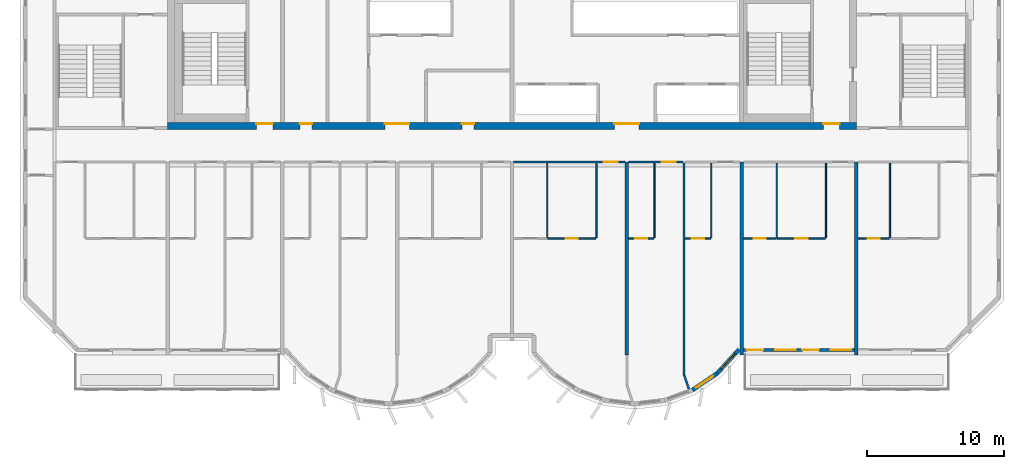
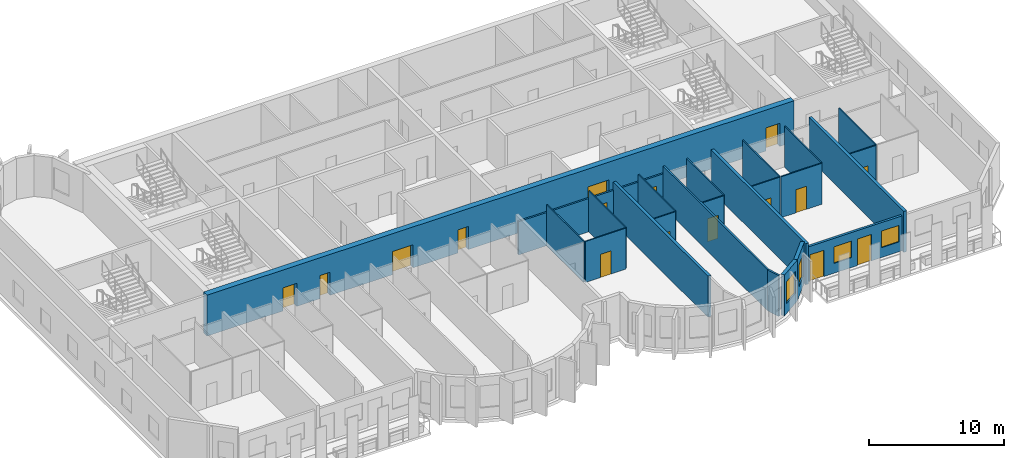
# One storey, part 5 of 12: 24 walls, 16 doors, 4 windows, 20 openings.
"""IFC4 building model written with IfcOpenShell, lengths in metres."""

import ifcopenshell
import ifcopenshell.guid

model = None  # the IFC model being written
_history = None  # IfcOwnerHistory: only IFC2X3 demands one
_inside = {}  # id of a spatial element -> (the spatial element, [elements in it])
_under = {}  # id of a project, library or spatial element -> (it, [spatial elements below it])
_declared = {}  # id of a project -> (the project, [libraries it declares])
_typed = {}  # id of a type object -> (the type object, [elements of that type])
_made_of = {}  # id of a material, layer set ... -> (it, [elements and type objects made of it])


def new_model(schema):
    """Start an empty IFC model of exactly this schema.

    Asked for "IFC4X3", IfcOpenShell would pick the latest addendum, in which some entities
    have other attributes; the version numbers below select the first issue.
    IFC2X3 requires an IfcOwnerHistory on every rooted entity: one is made here for all.
    """
    global model, _history
    if schema == "IFC4X3":
        model = ifcopenshell.file(schema_version=(4, 3, 0, 0))
    else:
        model = ifcopenshell.file(schema=schema)
    _inside.clear()
    _under.clear()
    _declared.clear()
    _typed.clear()
    _made_of.clear()
    _history = None
    if model.schema == "IFC2X3":
        org = make("IfcOrganization", Name="unknown")
        user = make(
            "IfcPersonAndOrganization",
            ThePerson=make("IfcPerson", FamilyName="unknown"),
            TheOrganization=org,
        )
        app = make(
            "IfcApplication",
            ApplicationDeveloper=org,
            Version="unknown",
            ApplicationFullName="unknown",
            ApplicationIdentifier="unknown",
        )
        _history = make(
            "IfcOwnerHistory",
            OwningUser=user,
            OwningApplication=app,
            ChangeAction="ADDED",
            CreationDate=0,
        )
    return model


def make(cls, **values):
    """One entity of the class cls with the attributes given. An attribute that is None is left unset."""
    return model.create_entity(
        cls, **{name: value for name, value in values.items() if value is not None}
    )


def rooted(cls, **values):
    """An entity with a GlobalId (a new one), such as an element, a storey or a relation."""
    return make(cls, GlobalId=ifcopenshell.guid.new(), OwnerHistory=_history, **values)


def si_unit(unit_type, name, prefix=None):
    """IfcSIUnit, for example si_unit("LENGTHUNIT", "METRE", prefix="MILLI")."""
    return make("IfcSIUnit", UnitType=unit_type, Prefix=prefix, Name=name)


def assignment(units):
    """IfcUnitAssignment: the units of a project."""
    return None if units is None else make("IfcUnitAssignment", Units=units)


def point(xyz):
    """IfcCartesianPoint."""
    return None if xyz is None else make("IfcCartesianPoint", Coordinates=xyz)


def direction(xyz):
    """IfcDirection."""
    return None if xyz is None else make("IfcDirection", DirectionRatios=xyz)


def frame(location, z_axis=None, x_axis=None):
    """IfcAxis2Placement3D, a coordinate frame: its origin and axes. An axis left out is left unset."""
    return make(
        "IfcAxis2Placement3D",
        Location=point(location),
        Axis=direction(z_axis),
        RefDirection=direction(x_axis),
    )


def frame_2d(location, x_axis=None):
    """IfcAxis2Placement2D, a coordinate frame in the plane: its origin and x axis."""
    return make(
        "IfcAxis2Placement2D", Location=point(location), RefDirection=direction(x_axis)
    )


def origin():
    """The frame at (0, 0, 0) with its axes left unset."""
    return frame((0.0, 0.0, 0.0))


def place(relative_to, where):
    """IfcLocalPlacement: puts the frame where relative to a parent placement (None: the world)."""
    return make(
        "IfcLocalPlacement", PlacementRelTo=relative_to, RelativePlacement=where
    )


def context(
    kind, dimensions, precision=None, world=None, true_north=None, identifier=None
):
    """IfcGeometricRepresentationContext, for example the 3D "Model" context."""
    return make(
        "IfcGeometricRepresentationContext",
        ContextIdentifier=identifier,
        ContextType=kind,
        CoordinateSpaceDimension=dimensions,
        Precision=precision,
        WorldCoordinateSystem=world,
        TrueNorth=true_north,
    )


def subcontext(parent, identifier, kind, view, scale=None):
    """IfcGeometricRepresentationSubContext, for example "Body" below "Model"."""
    return make(
        "IfcGeometricRepresentationSubContext",
        ContextIdentifier=identifier,
        ContextType=kind,
        ParentContext=parent,
        TargetScale=scale,
        TargetView=view,
    )


def project(units=None, contexts=None):
    """IfcProject with its units and contexts."""
    return rooted(
        "IfcProject",
        Name="project",
        RepresentationContexts=contexts,
        UnitsInContext=assignment(units),
    )


def spatial(cls, under=None, at=None, **own):
    """A site, building, storey or space (cls), placed at a placement, below another one or the project."""
    s = rooted(cls, ObjectPlacement=at, **own)
    if under is not None:
        _under.setdefault(under.id(), (under, []))[1].append(s)
    return s


def profile(cls, at=None, kind="AREA", **sizes):
    """A parametric profile (cls). Its sizes go by their IFC names, for example OverallWidth=200.0."""
    return make(cls, ProfileType=kind, Position=at, **sizes)


def rectangle(**sizes):
    """IfcRectangleProfileDef."""
    return profile("IfcRectangleProfileDef", **sizes)


def extrude(swept, where, along, depth):
    """IfcExtrudedAreaSolid: the profile swept, set in the frame where, extruded along a direction by depth."""
    return make(
        "IfcExtrudedAreaSolid",
        SweptArea=swept,
        Position=where,
        ExtrudedDirection=direction(along),
        Depth=depth,
    )


def shape(context_of_items, identifier, shape_type, items):
    """IfcShapeRepresentation: the items that make up one representation, for example the "Body"."""
    return make(
        "IfcShapeRepresentation",
        ContextOfItems=context_of_items,
        RepresentationIdentifier=identifier,
        RepresentationType=shape_type,
        Items=items,
    )


def source(mapping_origin, context_of_items, identifier, shape_type, items):
    """IfcRepresentationMap: a shape defined once, which mapped items show again and again."""
    return make(
        "IfcRepresentationMap",
        MappingOrigin=mapping_origin,
        MappedRepresentation=shape(context_of_items, identifier, shape_type, items),
    )


def transform(
    local_origin,
    x_axis=None,
    y_axis=None,
    z_axis=None,
    scale=None,
    scale2=None,
    scale3=None,
    uniform=True,
):
    """IfcCartesianTransformationOperator3D, or its non-uniform kind. x_axis, y_axis, z_axis: its Axis1, 2, 3."""
    if uniform:
        return make(
            "IfcCartesianTransformationOperator3D",
            Axis1=direction(x_axis),
            Axis2=direction(y_axis),
            LocalOrigin=point(local_origin),
            Scale=scale,
            Axis3=direction(z_axis),
        )
    return make(
        "IfcCartesianTransformationOperator3DnonUniform",
        Axis1=direction(x_axis),
        Axis2=direction(y_axis),
        LocalOrigin=point(local_origin),
        Scale=scale,
        Axis3=direction(z_axis),
        Scale2=scale2,
        Scale3=scale3,
    )


def mapped(mapping_source, mapping_target):
    """IfcMappedItem: shows the shape of a source again, moved by a transform."""
    return make(
        "IfcMappedItem", MappingSource=mapping_source, MappingTarget=mapping_target
    )


def material(Name=None, Category=None):
    """IfcMaterial."""
    return make("IfcMaterial", Name=Name, Category=Category)


def layer(
    of_material, thickness, ventilated=None, Name=None, Category=None, Priority=None
):
    """IfcMaterialLayer: one layer of a wall or slab, of a material (None: an air gap)."""
    return make(
        "IfcMaterialLayer",
        Material=of_material,
        LayerThickness=thickness,
        IsVentilated=ventilated,
        Name=Name,
        Category=Category,
        Priority=Priority,
    )


def layer_set(layers, Name=None):
    """IfcMaterialLayerSet."""
    return make("IfcMaterialLayerSet", MaterialLayers=layers, LayerSetName=Name)


def made_of(thing, what):
    """Note that an element or type object is made of a material, layer set ...; save() writes the relation."""
    if what is not None:
        _made_of.setdefault(what.id(), (what, []))[1].append(thing)
    return thing


def type_object(cls, material=None, **own):
    """A type object (cls), such as IfcWallType, which elements share."""
    return made_of(rooted(cls, **own), material)


def element(
    cls,
    number,
    at=None,
    inside=None,
    cuts=None,
    type_object=None,
    material=None,
    context=None,
    identifier="Body",
    shape_type=None,
    held_by="IfcProductDefinitionShape",
    body=None,
    shapes=None,
    **own,
):
    """One element of the class cls, such as IfcWall. Its Tag is "e" and its number.

    at: its placement. inside: the storey or other place that contains it. cuts: it is an
    opening in that element (IfcRelVoidsElement). A single representation is given by context,
    identifier, shape_type and body (its items); several are given by shapes. held_by: the class
    of the entity that holds the representations. save() writes the other relations.
    """
    e = rooted(cls, Tag="e%d" % number, ObjectPlacement=at, **own)
    if body is not None:
        shapes = [shape(context, identifier, shape_type, body)]
    if shapes is not None:
        e.Representation = make(held_by, Representations=shapes)
    if inside is not None:
        _inside.setdefault(inside.id(), (inside, []))[1].append(e)
    if cuts is not None:
        rooted(
            "IfcRelVoidsElement", RelatingBuildingElement=cuts, RelatedOpeningElement=e
        )
    if type_object is not None:
        _typed.setdefault(type_object.id(), (type_object, []))[1].append(e)
    return made_of(e, material)


def fill(opening, filler):
    """IfcRelFillsElement: the door or window that sits in an opening."""
    return rooted(
        "IfcRelFillsElement",
        RelatingOpeningElement=opening,
        RelatedBuildingElement=filler,
    )


def aggregate(whole, parts):
    """IfcRelAggregates: a whole, such as a stair, and the parts it consists of."""
    return rooted("IfcRelAggregates", RelatingObject=whole, RelatedObjects=parts)


def save(model, path):
    """Write the relations noted so far, then the file.

    IfcRelAggregates (storeys below a building ...), IfcRelContainedInSpatialStructure (elements
    in a storey), IfcRelDefinesByType, IfcRelAssociatesMaterial and IfcRelDeclares: one each for
    every whole, place, type object, material and project.
    """
    for whole, parts in _under.values():
        aggregate(whole, parts)
    for where, things in _inside.values():
        rooted(
            "IfcRelContainedInSpatialStructure",
            RelatedElements=things,
            RelatingStructure=where,
        )
    for kind, things in _typed.values():
        rooted("IfcRelDefinesByType", RelatedObjects=things, RelatingType=kind)
    for what, things in _made_of.values():
        rooted("IfcRelAssociatesMaterial", RelatedObjects=things, RelatingMaterial=what)
    for by, libraries in _declared.values():
        rooted("IfcRelDeclares", RelatingContext=by, RelatedDefinitions=libraries)
    model.write(path)


model = new_model("IFC4")

# Units and contexts
model_context = context("Model", 3, precision=1e-05, world=origin(), true_north=direction((0.0, 1.0)))
body_context = subcontext(model_context, "Body", "Model", "MODEL_VIEW")
ifc_project = project(units=[si_unit("LENGTHUNIT", "METRE"), si_unit("AREAUNIT", "SQUARE_METRE"), si_unit("VOLUMEUNIT", "CUBIC_METRE"), si_unit("PLANEANGLEUNIT", "RADIAN"), si_unit("MASSUNIT", "GRAM", prefix="KILO")], contexts=[model_context])

# Site, building, storey
site_placement = place(None, origin())
site = spatial("IfcSite", under=ifc_project, at=site_placement, CompositionType="ELEMENT")
building_placement = place(site_placement, origin())
building = spatial("IfcBuilding", under=site, at=building_placement, Name="Vanashikhar Sky Hotel", CompositionType="ELEMENT")
storey_placement = place(building_placement, frame((0.0, 0.0, 289.699951171875)))
storey = spatial("IfcBuildingStorey", under=building, at=storey_placement, Name="L69", CompositionType="ELEMENT", Elevation=289.699951171875)

# Wall, openings, doors
ifc_material_1 = material(Name="Concrete M50", Category="concrete")
ifc_layer_1 = layer(ifc_material_1, 0.5)
ifc_layer_set_1 = layer_set([ifc_layer_1], Name="RC core shell wall 500 Concrete M50")
wall_type_1 = type_object("IfcWallType", Name="RC core shell wall 500 Concrete M50", PredefinedType="SHEAR", material=ifc_layer_set_1)
shared_shape_1 = source(origin(), body_context, "Body", "SweptSolid", [
    extrude(rectangle(XDim=50.400146484375, YDim=0.5, at=frame_2d((25.2001953125, 0.0))), origin(), (0.0, 0.0, 1.0), 3.719970703125),
])
wall_1_placement = place(storey_placement, frame((25.199951171875, 22.25, 0.0), z_axis=(0.0, 0.0, 1.0), x_axis=(1.0, 0.0, 0.0)))
wall_1 = element("IfcWall", 1, at=wall_1_placement, inside=storey, type_object=wall_type_1, Name="KW-L69-KS", PredefinedType="SHEAR", context=body_context, shape_type="MappedRepresentation", body=[
    mapped(shared_shape_1, transform((0.0, 0.0, 0.0), scale=1.0)),
])
shared_shape_2 = source(origin(), body_context, "Body", "SweptSolid", [
    extrude(rectangle(XDim=1.800048828125, YDim=2.10009765625, at=frame_2d((0.89990234375, 1.050048828125))), frame((0.0, 0.260009765625, 0.0), z_axis=(0.0, -1.0, 0.0), x_axis=(1.0, 0.0, 0.0)), (0.0, 0.0, 1.0), 0.52001953125),
])
opening_1_placement = place(wall_1_placement, frame((15.89990234375, 0.0, 0.0)))
opening_1 = element("IfcOpeningElement", 2, at=opening_1_placement, cuts=wall_1, Name="Opening DC-3-A", PredefinedType="OPENING", context=body_context, shape_type="MappedRepresentation", body=[
    mapped(shared_shape_2, transform((0.0, 0.0, 0.0), scale=1.0)),
])
shared_shape_3 = source(origin(), body_context, "Body", "SweptSolid", [
    extrude(rectangle(XDim=0.89990234375, YDim=2.10009765625, at=frame_2d((0.449951171875, 1.050048828125))), frame((0.0, 0.260009765625, 0.0), z_axis=(0.0, -1.0, 0.0), x_axis=(1.0, 0.0, 0.0)), (0.0, 0.0, 1.0), 0.52001953125),
])
opening_2_placement = place(wall_1_placement, frame((9.675048828125, 0.0, 0.0)))
opening_2 = element("IfcOpeningElement", 3, at=opening_2_placement, cuts=wall_1, Name="Opening DC-4-A", PredefinedType="OPENING", context=body_context, shape_type="MappedRepresentation", body=[
    mapped(shared_shape_3, transform((0.0, 0.0, 0.0), scale=1.0)),
])
opening_3_placement = place(wall_1_placement, frame((21.52490234375, 0.0, 0.0)))
opening_3 = element("IfcOpeningElement", 4, at=opening_3_placement, cuts=wall_1, Name="Opening DC-4-A", PredefinedType="OPENING", context=body_context, shape_type="MappedRepresentation", body=[
    mapped(shared_shape_3, transform((0.0, 0.0, 0.0), scale=1.0)),
])
opening_4_placement = place(wall_1_placement, frame((32.699951171875, 0.0, 0.0)))
opening_4 = element("IfcOpeningElement", 5, at=opening_4_placement, cuts=wall_1, Name="Opening DC-3-A", PredefinedType="OPENING", context=body_context, shape_type="MappedRepresentation", body=[
    mapped(shared_shape_2, transform((0.0, 0.0, 0.0), scale=1.0)),
])
shared_shape_4 = source(origin(), body_context, "Body", "SweptSolid", [
    extrude(rectangle(XDim=1.199951171875, YDim=2.10009765625, at=frame_2d((0.60009765625, 1.050048828125))), frame((0.0, 0.260009765625, 0.0), z_axis=(0.0, -1.0, 0.0), x_axis=(1.0, 0.0, 0.0)), (0.0, 0.0, 1.0), 0.52001953125),
])
opening_5_placement = place(wall_1_placement, frame((6.5, 0.0, 0.0)))
opening_5 = element("IfcOpeningElement", 6, at=opening_5_placement, cuts=wall_1, Name="Opening DC-2", PredefinedType="OPENING", context=body_context, shape_type="MappedRepresentation", body=[
    mapped(shared_shape_4, transform((0.0, 0.0, 0.0), scale=1.0)),
])
opening_6_placement = place(wall_1_placement, frame((47.97509765625, 0.0, 0.0)))
opening_6 = element("IfcOpeningElement", 7, at=opening_6_placement, cuts=wall_1, Name="Opening DC-2", PredefinedType="OPENING", context=body_context, shape_type="MappedRepresentation", body=[
    mapped(shared_shape_4, transform((0.0, 0.0, 0.0), scale=1.0)),
])
ifc_material_2 = material(Name="Steel", Category="steel")
door_type_1 = type_object("IfcDoorType", Name="Firefighting lobby door 1200 FD120", OperationType="NOTDEFINED", PredefinedType="DOOR", material=ifc_material_2)
shared_shape_5 = source(origin(), body_context, "Body", "SweptSolid", [
    extrude(rectangle(XDim=1.199951171875, YDim=2.10009765625, at=frame_2d((0.60009765625, 1.050048828125))), frame((0.0, 0.1748046875, 0.0), z_axis=(0.0, -1.0, 0.0), x_axis=(1.0, 0.0, 0.0)), (0.0, 0.0, 1.0), 0.050048828125),
])
door_1_placement = place(opening_5_placement, origin())
door_1 = element("IfcDoor", 8, at=door_1_placement, inside=storey, type_object=door_type_1, Name="Firefighting lobby door 1200 FD120", OperationType="SINGLE_SWING_LEFT", OverallHeight=2.10009765625, OverallWidth=1.199951171875, PredefinedType="DOOR", context=body_context, shape_type="MappedRepresentation", body=[
    mapped(shared_shape_5, transform((0.0, 0.0, 0.0), scale=1.0)),
])
fill(opening_5, door_1)
door_2_placement = place(opening_6_placement, origin())
door_2 = element("IfcDoor", 9, at=door_2_placement, inside=storey, type_object=door_type_1, Name="Firefighting lobby door 1200 FD120", OperationType="SINGLE_SWING_RIGHT", OverallHeight=2.10009765625, OverallWidth=1.199951171875, PredefinedType="DOOR", context=body_context, shape_type="MappedRepresentation", body=[
    mapped(shared_shape_5, transform((0.0, 0.0, 0.0), scale=1.0)),
])
fill(opening_6, door_2)
door_type_2 = type_object("IfcDoorType", Name="Service door 900 FD60", OperationType="NOTDEFINED", PredefinedType="DOOR", material=ifc_material_2)
shared_shape_6 = source(origin(), body_context, "Body", "SweptSolid", [
    extrude(rectangle(XDim=0.89990234375, YDim=2.10009765625, at=frame_2d((0.449951171875, 1.050048828125))), frame((0.0, 0.1748046875, 0.0), z_axis=(0.0, -1.0, 0.0), x_axis=(1.0, 0.0, 0.0)), (0.0, 0.0, 1.0), 0.050048828125),
])
door_3_placement = place(opening_2_placement, origin())
door_3 = element("IfcDoor", 10, at=door_3_placement, inside=storey, type_object=door_type_2, Name="Service door 900 FD60", OperationType="SINGLE_SWING_RIGHT", OverallHeight=2.10009765625, OverallWidth=0.89990234375, PredefinedType="DOOR", context=body_context, shape_type="MappedRepresentation", body=[
    mapped(shared_shape_6, transform((0.0, 0.0, 0.0), scale=1.0)),
])
fill(opening_2, door_3)
door_4_placement = place(opening_3_placement, origin())
door_4 = element("IfcDoor", 11, at=door_4_placement, inside=storey, type_object=door_type_2, Name="Service door 900 FD60", OperationType="SINGLE_SWING_LEFT", OverallHeight=2.10009765625, OverallWidth=0.89990234375, PredefinedType="DOOR", context=body_context, shape_type="MappedRepresentation", body=[
    mapped(shared_shape_6, transform((0.0, 0.0, 0.0), scale=1.0)),
])
fill(opening_3, door_4)
ifc_material_3 = material(Name="Glass", Category="glass")
door_type_3 = type_object("IfcDoorType", Name="Lift lobby entrance door 1800 FD30S", OperationType="NOTDEFINED", PredefinedType="DOOR", material=ifc_material_3)
shared_shape_7 = source(origin(), body_context, "Body", "SweptSolid", [
    extrude(rectangle(XDim=1.800048828125, YDim=2.10009765625, at=frame_2d((0.89990234375, 1.050048828125))), frame((0.0, 0.1748046875, 0.0), z_axis=(0.0, -1.0, 0.0), x_axis=(1.0, 0.0, 0.0)), (0.0, 0.0, 1.0), 0.050048828125),
])
door_5_placement = place(opening_1_placement, origin())
door_5 = element("IfcDoor", 12, at=door_5_placement, inside=storey, type_object=door_type_3, Name="Lift lobby entrance door 1800 FD30S", OperationType="DOUBLE_DOOR_SINGLE_SWING", OverallHeight=2.10009765625, OverallWidth=1.800048828125, PredefinedType="DOOR", context=body_context, shape_type="MappedRepresentation", body=[
    mapped(shared_shape_7, transform((0.0, 0.0, 0.0), scale=1.0)),
])
fill(opening_1, door_5)
door_6_placement = place(opening_4_placement, origin())
door_6 = element("IfcDoor", 13, at=door_6_placement, inside=storey, type_object=door_type_3, Name="Lift lobby entrance door 1800 FD30S", OperationType="DOUBLE_DOOR_SINGLE_SWING", OverallHeight=2.10009765625, OverallWidth=1.800048828125, PredefinedType="DOOR", context=body_context, shape_type="MappedRepresentation", body=[
    mapped(shared_shape_7, transform((0.0, 0.0, 0.0), scale=1.0)),
])
fill(opening_4, door_6)

# Walls
ifc_layer_2 = layer(ifc_material_1, 0.25)
ifc_layer_set_2 = layer_set([ifc_layer_2], Name="RC shear wall 250 Concrete M50")
wall_type_2 = type_object("IfcWallType", Name="RC shear wall 250 Concrete M50", PredefinedType="SHEAR", material=ifc_layer_set_2)
shared_shape_8 = source(origin(), body_context, "Body", "SweptSolid", [
    extrude(rectangle(XDim=14.10009765625, YDim=0.25, at=frame_2d((7.050048828125, 0.0))), origin(), (0.0, 0.0, 1.0), 3.719970703125),
])
for number, where, z_axis, x_axis, name in (
    (14, (58.800048828125, 5.5, 0.0), (0.0, 0.0, 1.0), (0.0, 1.0, 0.0), "CW-L69-XW08-1"),
    (15, (67.199951171875, 5.5, 0.0), (0.0, 0.0, 1.0), (0.0, 1.0, 0.0), "CW-L69-XW09-1"),
    (16, (75.60009765625, 5.5, 0.0), (0.0, 0.0, 1.0), (0.0, 1.0, 0.0), "CW-L69-XW10-1"),
):
    element("IfcWall", number, at=place(storey_placement, frame(where, z_axis=z_axis, x_axis=x_axis)), inside=storey, type_object=wall_type_2, Name=name, PredefinedType="SHEAR", context=body_context, shape_type="MappedRepresentation", body=[
        mapped(shared_shape_8, transform((0.0, 0.0, 0.0), scale=1.0)),
    ])

# Wall, openings, windows, doors
ifc_layer_3 = layer(ifc_material_1, 0.199951171875)
ifc_layer_set_3 = layer_set([ifc_layer_3], Name="Front window wall 200")
wall_type_3 = type_object("IfcWallType", Name="Front window wall 200", PredefinedType="SOLIDWALL", material=ifc_layer_set_3)
shared_shape_9 = source(origin(), body_context, "Body", "SweptSolid", [
    extrude(rectangle(XDim=8.150146484375, YDim=0.199951171875, at=frame_2d((4.0751953125, 0.0))), origin(), (0.0, 0.0, 1.0), 3.170166015625),
])
wall_2_placement = place(storey_placement, frame((67.324951171875, 5.85009765625, 0.0), z_axis=(0.0, 0.0, 1.0), x_axis=(1.0, 0.0, 0.0)))
wall_2 = element("IfcWall", 17, at=wall_2_placement, inside=storey, type_object=wall_type_3, Name="Front window wall", PredefinedType="SOLIDWALL", context=body_context, shape_type="MappedRepresentation", body=[
    mapped(shared_shape_9, transform((0.0, 0.0, 0.0), scale=1.0)),
])
shared_shape_10 = source(origin(), body_context, "Body", "SweptSolid", [
    extrude(rectangle(XDim=1.199951171875, YDim=2.39990234375, at=frame_2d((0.60009765625, 1.199951171875))), frame((0.0, 0.10986328125, 0.0), z_axis=(0.0, -1.0, 0.0), x_axis=(1.0, 0.0, 0.0)), (0.0, 0.0, 1.0), 0.219970703125),
])
opening_7_placement = place(wall_2_placement, frame((0.25, 0.0, 0.0)))
opening_7 = element("IfcOpeningElement", 18, at=opening_7_placement, cuts=wall_2, Name="Opening BD-03", PredefinedType="OPENING", context=body_context, shape_type="MappedRepresentation", body=[
    mapped(shared_shape_10, transform((0.0, 0.0, 0.0), scale=1.0)),
])
shared_shape_11 = source(origin(), body_context, "Body", "SweptSolid", [
    extrude(rectangle(XDim=1.5, YDim=1.5, at=frame_2d((0.75, 0.75))), frame((0.0, 0.10986328125, 0.0), z_axis=(0.0, -1.0, 0.0), x_axis=(1.0, 0.0, 0.0)), (0.0, 0.0, 1.0), 0.219970703125),
])
opening_8_placement = place(wall_2_placement, frame((2.324951171875, 0.0, 0.89990234375)))
opening_8 = element("IfcOpeningElement", 19, at=opening_8_placement, cuts=wall_2, Name="Opening WN-1", PredefinedType="OPENING", context=body_context, shape_type="MappedRepresentation", body=[
    mapped(shared_shape_11, transform((0.0, 0.0, 0.0), scale=1.0)),
])
opening_9_placement = place(wall_2_placement, frame((4.324951171875, 0.0, 0.0)))
opening_9 = element("IfcOpeningElement", 20, at=opening_9_placement, cuts=wall_2, Name="Opening BD-04", PredefinedType="OPENING", context=body_context, shape_type="MappedRepresentation", body=[
    mapped(shared_shape_10, transform((0.0, 0.0, 0.0), scale=1.0)),
])
opening_10_placement = place(wall_2_placement, frame((6.39990234375, 0.0, 0.89990234375)))
opening_10 = element("IfcOpeningElement", 21, at=opening_10_placement, cuts=wall_2, Name="Opening WN-1", PredefinedType="OPENING", context=body_context, shape_type="MappedRepresentation", body=[
    mapped(shared_shape_11, transform((0.0, 0.0, 0.0), scale=1.0)),
])
window_type_1 = type_object("IfcWindowType", Name="Window 1500 x 1500", PartitioningType="SINGLE_PANEL", PredefinedType="WINDOW", material=ifc_material_3)
shared_shape_12 = source(origin(), body_context, "Body", "SweptSolid", [
    extrude(rectangle(XDim=1.5, YDim=1.5, at=frame_2d((0.75, 0.75))), frame((0.0, 0.030029296875, 0.0), z_axis=(0.0, -1.0, 0.0), x_axis=(1.0, 0.0, 0.0)), (0.0, 0.0, 1.0), 0.06005859375),
])
window_1_placement = place(opening_8_placement, origin())
window_1 = element("IfcWindow", 22, at=window_1_placement, inside=storey, type_object=window_type_1, Name="Window WN-1", OverallHeight=1.5, OverallWidth=1.5, PartitioningType="SINGLE_PANEL", PredefinedType="WINDOW", context=body_context, shape_type="MappedRepresentation", body=[
    mapped(shared_shape_12, transform((0.0, 0.0, 0.0), scale=1.0)),
])
fill(opening_8, window_1)
window_2_placement = place(opening_10_placement, origin())
window_2 = element("IfcWindow", 23, at=window_2_placement, inside=storey, type_object=window_type_1, Name="Window WN-1", OverallHeight=1.5, OverallWidth=1.5, PartitioningType="SINGLE_PANEL", PredefinedType="WINDOW", context=body_context, shape_type="MappedRepresentation", body=[
    mapped(shared_shape_12, transform((0.0, 0.0, 0.0), scale=1.0)),
])
fill(opening_10, window_2)
ifc_material_4 = material(Name="Aluminium", Category="aluminium")
door_type_4 = type_object("IfcDoorType", Name="Balcony sliding door 1200 x 2400", OperationType="NOTDEFINED", PredefinedType="DOOR", material=ifc_material_4)
shared_shape_13 = source(origin(), body_context, "Body", "SweptSolid", [
    extrude(rectangle(XDim=1.199951171875, YDim=2.39990234375, at=frame_2d((0.60009765625, 1.199951171875))), frame((0.0, 0.02490234375, 0.0), z_axis=(0.0, -1.0, 0.0), x_axis=(1.0, 0.0, 0.0)), (0.0, 0.0, 1.0), 0.050048828125),
])
door_7_placement = place(opening_7_placement, origin())
door_7 = element("IfcDoor", 24, at=door_7_placement, inside=storey, type_object=door_type_4, Name="Balcony sliding door", OperationType="SLIDING_TO_LEFT", OverallHeight=2.39990234375, OverallWidth=1.199951171875, PredefinedType="DOOR", context=body_context, shape_type="MappedRepresentation", body=[
    mapped(shared_shape_13, transform((0.0, 0.0, 0.0), scale=1.0)),
])
fill(opening_7, door_7)
door_8_placement = place(opening_9_placement, origin())
door_8 = element("IfcDoor", 25, at=door_8_placement, inside=storey, type_object=door_type_4, Name="Balcony sliding door", OperationType="SLIDING_TO_RIGHT", OverallHeight=2.39990234375, OverallWidth=1.199951171875, PredefinedType="DOOR", context=body_context, shape_type="MappedRepresentation", body=[
    mapped(shared_shape_13, transform((0.0, 0.0, 0.0), scale=1.0)),
])
fill(opening_9, door_8)

# Wall, opening, window
ifc_layer_4 = layer(ifc_material_1, 0.300048828125)
ifc_layer_set_4 = layer_set([ifc_layer_4], Name="Lobe wall 300")
wall_type_4 = type_object("IfcWallType", Name="Lobe wall 300", PredefinedType="SOLIDWALL", material=ifc_layer_set_4)
shared_shape_14 = source(origin(), body_context, "Body", "SweptSolid", [
    extrude(rectangle(XDim=2.398193359375, YDim=0.300048828125, at=frame_2d((1.19921875, 0.0))), origin(), (0.0, 0.0, 1.0), 3.719970703125),
])
wall_3_placement = place(storey_placement, frame((65.404296875, 4.13134765625, 0.0), z_axis=(0.0, 0.0, 1.0), x_axis=(0.675374189419, 0.737475222815, 0.0)))
wall_3 = element("IfcWall", 26, at=wall_3_placement, inside=storey, type_object=wall_type_4, Name="Lobe wall", PredefinedType="SOLIDWALL", context=body_context, shape_type="MappedRepresentation", body=[
    mapped(shared_shape_14, transform((0.0, 0.0, 0.0), scale=1.0)),
])
shared_shape_15 = source(origin(), body_context, "Body", "SweptSolid", [
    extrude(rectangle(XDim=1.5, YDim=2.0, at=frame_2d((0.75, 1.0))), frame((0.0, 0.16015625, 0.0), z_axis=(0.0, -1.0, 0.0), x_axis=(1.0, 0.0, 0.0)), (0.0, 0.0, 1.0), 0.320068359375),
])
opening_11_placement = place(wall_3_placement, frame((0.44921875, 0.0, 0.89990234375)))
opening_11 = element("IfcOpeningElement", 27, at=opening_11_placement, cuts=wall_3, Name="Opening WN-2", PredefinedType="OPENING", context=body_context, shape_type="MappedRepresentation", body=[
    mapped(shared_shape_15, transform((0.0, 0.0, 0.0), scale=1.0)),
])
window_type_2 = type_object("IfcWindowType", Name="Lobe window 1500 x 2000", PartitioningType="SINGLE_PANEL", PredefinedType="WINDOW", material=ifc_material_3)
shared_shape_16 = source(origin(), body_context, "Body", "SweptSolid", [
    extrude(rectangle(XDim=1.5, YDim=2.0, at=frame_2d((0.75, 1.0))), frame((0.0, 0.030029296875, 0.0), z_axis=(0.0, -1.0, 0.0), x_axis=(1.0, 0.0, 0.0)), (0.0, 0.0, 1.0), 0.06005859375),
])
window_3_placement = place(opening_11_placement, origin())
window_3 = element("IfcWindow", 28, at=window_3_placement, inside=storey, type_object=window_type_2, Name="Window WN-2", OverallHeight=2.0, OverallWidth=1.5, PartitioningType="SINGLE_PANEL", PredefinedType="WINDOW", context=body_context, shape_type="MappedRepresentation", body=[
    mapped(shared_shape_16, transform((0.0, 0.0, 0.0), scale=1.0)),
])
fill(opening_11, window_3)

shared_shape_17 = source(origin(), body_context, "Body", "SweptSolid", [
    extrude(rectangle(XDim=2.17578125, YDim=0.300048828125, at=frame_2d((1.087890625, 0.0))), origin(), (0.0, 0.0, 1.0), 3.719970703125),
])
wall_4_placement = place(storey_placement, frame((63.59912109375, 2.91650390625, 0.0), z_axis=(0.0, 0.0, 1.0), x_axis=(0.829625727223, 0.558319937607, 0.0)))
wall_4 = element("IfcWall", 29, at=wall_4_placement, inside=storey, type_object=wall_type_4, Name="Lobe wall", PredefinedType="SOLIDWALL", context=body_context, shape_type="MappedRepresentation", body=[
    mapped(shared_shape_17, transform((0.0, 0.0, 0.0), scale=1.0)),
])
opening_12_placement = place(wall_4_placement, frame((0.337890625, 0.0, 0.89990234375)))
opening_12 = element("IfcOpeningElement", 30, at=opening_12_placement, cuts=wall_4, Name="Opening WN-2", PredefinedType="OPENING", context=body_context, shape_type="MappedRepresentation", body=[
    mapped(shared_shape_15, transform((0.0, 0.0, 0.0), scale=1.0)),
])
window_4_placement = place(opening_12_placement, origin())
window_4 = element("IfcWindow", 31, at=window_4_placement, inside=storey, type_object=window_type_2, Name="Window WN-2", OverallHeight=2.0, OverallWidth=1.5, PartitioningType="SINGLE_PANEL", PredefinedType="WINDOW", context=body_context, shape_type="MappedRepresentation", body=[
    mapped(shared_shape_16, transform((0.0, 0.0, 0.0), scale=1.0)),
])
fill(opening_12, window_4)

# Wall, opening, door
ifc_material_5 = material(Name="Gypsum plasterboard partition")
ifc_layer_5 = layer(ifc_material_5, 0.10009765625)
ifc_layer_set_5 = layer_set([ifc_layer_5], Name="Wet room partition 100")
wall_type_5 = type_object("IfcWallType", Name="Wet room partition 100", PredefinedType="PARTITIONING", material=ifc_layer_set_5)
shared_shape_18 = source(origin(), body_context, "Body", "SweptSolid", [
    extrude(rectangle(XDim=3.5, YDim=0.10009765625, at=frame_2d((1.75, 0.0))), origin(), (0.0, 0.0, 1.0), 3.719970703125),
])
wall_5_placement = place(storey_placement, frame((53.02490234375, 14.0, 0.0), z_axis=(0.0, 0.0, 1.0), x_axis=(1.0, 0.0, 0.0)))
wall_5 = element("IfcWall", 32, at=wall_5_placement, inside=storey, type_object=wall_type_5, Name="W-L69-PW027", PredefinedType="PARTITIONING", context=body_context, shape_type="MappedRepresentation", body=[
    mapped(shared_shape_18, transform((0.0, 0.0, 0.0), scale=1.0)),
])
shared_shape_19 = source(origin(), body_context, "Body", "SweptSolid", [
    extrude(rectangle(XDim=0.89990234375, YDim=2.10009765625, at=frame_2d((0.449951171875, 1.050048828125))), frame((0.0, 0.06005859375, 0.0), z_axis=(0.0, -1.0, 0.0), x_axis=(1.0, 0.0, 0.0)), (0.0, 0.0, 1.0), 0.1201171875),
])
opening_13_placement = place(wall_5_placement, frame((1.300048828125, 0.0, 0.0)))
opening_13 = element("IfcOpeningElement", 33, at=opening_13_placement, cuts=wall_5, Name="Opening D-02", PredefinedType="OPENING", context=body_context, shape_type="MappedRepresentation", body=[
    mapped(shared_shape_19, transform((0.0, 0.0, 0.0), scale=1.0)),
])
ifc_material_6 = material(Name="Timber door", Category="wood")
door_type_5 = type_object("IfcDoorType", Name="Internal door 900", OperationType="NOTDEFINED", PredefinedType="DOOR", material=ifc_material_6)
shared_shape_20 = source(origin(), body_context, "Body", "SweptSolid", [
    extrude(rectangle(XDim=0.89990234375, YDim=2.10009765625, at=frame_2d((0.449951171875, 1.050048828125))), frame((0.0, 0.02490234375, 0.0), z_axis=(0.0, -1.0, 0.0), x_axis=(1.0, 0.0, 0.0)), (0.0, 0.0, 1.0), 0.050048828125),
])
door_9_placement = place(opening_13_placement, origin())
door_9 = element("IfcDoor", 34, at=door_9_placement, inside=storey, type_object=door_type_5, Name="D-L69-015", OperationType="SINGLE_SWING_RIGHT", OverallHeight=2.10009765625, OverallWidth=0.89990234375, PredefinedType="DOOR", context=body_context, shape_type="MappedRepresentation", body=[
    mapped(shared_shape_20, transform((0.0, 0.0, 0.0), scale=1.0)),
])
fill(opening_13, door_9)

wall_6_placement = place(storey_placement, frame((69.824951171875, 14.0, 0.0), z_axis=(0.0, 0.0, 1.0), x_axis=(1.0, 0.0, 0.0)))
wall_6 = element("IfcWall", 35, at=wall_6_placement, inside=storey, type_object=wall_type_5, Name="W-L69-PW039", PredefinedType="PARTITIONING", context=body_context, shape_type="MappedRepresentation", body=[
    mapped(shared_shape_18, transform((0.0, 0.0, 0.0), scale=1.0)),
])
opening_14_placement = place(wall_6_placement, frame((1.300048828125, 0.0, 0.0)))
opening_14 = element("IfcOpeningElement", 36, at=opening_14_placement, cuts=wall_6, Name="Opening D-02", PredefinedType="OPENING", context=body_context, shape_type="MappedRepresentation", body=[
    mapped(shared_shape_19, transform((0.0, 0.0, 0.0), scale=1.0)),
])
door_10_placement = place(opening_14_placement, origin())
door_10 = element("IfcDoor", 37, at=door_10_placement, inside=storey, type_object=door_type_5, Name="D-L69-022", OperationType="SINGLE_SWING_RIGHT", OverallHeight=2.10009765625, OverallWidth=0.89990234375, PredefinedType="DOOR", context=body_context, shape_type="MappedRepresentation", body=[
    mapped(shared_shape_20, transform((0.0, 0.0, 0.0), scale=1.0)),
])
fill(opening_14, door_10)

ifc_layer_6 = layer(ifc_material_5, 0.14990234375)
ifc_layer_set_6 = layer_set([ifc_layer_6], Name="Corridor and demising partition 150")
wall_type_6 = type_object("IfcWallType", Name="Corridor and demising partition 150", PredefinedType="PARTITIONING", material=ifc_layer_set_6)
shared_shape_21 = source(origin(), body_context, "Body", "SweptSolid", [
    extrude(rectangle(XDim=8.150146484375, YDim=0.14990234375, at=frame_2d((4.0751953125, 0.0))), origin(), (0.0, 0.0, 1.0), 3.02001953125),
])
wall_7_placement = place(storey_placement, frame((50.52490234375, 19.60009765625, 0.0), z_axis=(0.0, 0.0, 1.0), x_axis=(1.0, 0.0, 0.0)))
wall_7 = element("IfcWall", 38, at=wall_7_placement, inside=storey, type_object=wall_type_6, Name="W-L69-PW029", PredefinedType="PARTITIONING", context=body_context, shape_type="MappedRepresentation", body=[
    mapped(shared_shape_21, transform((0.0, 0.0, 0.0), scale=1.0)),
])
shared_shape_22 = source(origin(), body_context, "Body", "SweptSolid", [
    extrude(rectangle(XDim=1.0, YDim=2.10009765625, at=frame_2d((0.5, 1.050048828125))), frame((0.0, 0.0849609375, 0.0), z_axis=(0.0, -1.0, 0.0), x_axis=(1.0, 0.0, 0.0)), (0.0, 0.0, 1.0), 0.169921875),
])
opening_15_placement = place(wall_7_placement, frame((6.60009765625, 0.0, 0.0)))
opening_15 = element("IfcOpeningElement", 39, at=opening_15_placement, cuts=wall_7, Name="Opening D-01", PredefinedType="OPENING", context=body_context, shape_type="MappedRepresentation", body=[
    mapped(shared_shape_22, transform((0.0, 0.0, 0.0), scale=1.0)),
])
ifc_material_7 = material(Name="Timber fire door", Category="wood")
door_type_6 = type_object("IfcDoorType", Name="Guest entry door 1000 FD30S", OperationType="NOTDEFINED", PredefinedType="DOOR", material=ifc_material_7)
shared_shape_23 = source(origin(), body_context, "Body", "SweptSolid", [
    extrude(rectangle(XDim=1.0, YDim=2.10009765625, at=frame_2d((0.5, 1.050048828125))), frame((0.0, 0.02490234375, 0.0), z_axis=(0.0, -1.0, 0.0), x_axis=(1.0, 0.0, 0.0)), (0.0, 0.0, 1.0), 0.050048828125),
])
door_11_placement = place(opening_15_placement, origin())
door_11 = element("IfcDoor", 40, at=door_11_placement, inside=storey, type_object=door_type_6, Name="D-L69-017", OperationType="SINGLE_SWING_RIGHT", OverallHeight=2.10009765625, OverallWidth=1.0, PredefinedType="DOOR", context=body_context, shape_type="MappedRepresentation", body=[
    mapped(shared_shape_23, transform((0.0, 0.0, 0.0), scale=1.0)),
])
fill(opening_15, door_11)

# Walls
shared_shape_24 = source(origin(), body_context, "Body", "SweptSolid", [
    extrude(rectangle(XDim=5.449951171875, YDim=0.10009765625, at=frame_2d((2.72509765625, 0.0))), origin(), (0.0, 0.0, 1.0), 3.719970703125),
])
for number, where, z_axis, x_axis, name in (
    (41, (56.574951171875, 14.074951171875, 0.0), (0.0, 0.0, 1.0), (0.0, 1.0, 0.0), "W-L69-PW025"),
    (42, (52.97509765625, 14.074951171875, 0.0), (0.0, 0.0, 1.0), (0.0, 1.0, 0.0), "W-L69-PW026"),
    (43, (60.824951171875, 14.074951171875, 0.0), (0.0, 0.0, 1.0), (0.0, 1.0, 0.0), "W-L69-PW030"),
    (44, (64.97509765625, 14.074951171875, 0.0), (0.0, 0.0, 1.0), (0.0, 1.0, 0.0), "W-L69-PW033"),
    (45, (73.375, 14.074951171875, 0.0), (0.0, 0.0, 1.0), (0.0, 1.0, 0.0), "W-L69-PW037"),
    (46, (69.77490234375, 14.074951171875, 0.0), (0.0, 0.0, 1.0), (0.0, 1.0, 0.0), "W-L69-PW038"),
    (47, (78.050048828125, 14.074951171875, 0.0), (0.0, 0.0, 1.0), (0.0, 1.0, 0.0), "W-L69-PW043"),
):
    element("IfcWall", number, at=place(storey_placement, frame(where, z_axis=z_axis, x_axis=x_axis)), inside=storey, type_object=wall_type_5, Name=name, PredefinedType="PARTITIONING", context=body_context, shape_type="MappedRepresentation", body=[
        mapped(shared_shape_24, transform((0.0, 0.0, 0.0), scale=1.0)),
    ])

# Wall, opening, door
shared_shape_25 = source(origin(), body_context, "Body", "SweptSolid", [
    extrude(rectangle(XDim=2.27490234375, YDim=0.10009765625, at=frame_2d((1.137451171875, 0.0))), origin(), (0.0, 0.0, 1.0), 3.719970703125),
])
wall_8_placement = place(storey_placement, frame((75.72509765625, 14.0, 0.0), z_axis=(0.0, 0.0, 1.0), x_axis=(1.0, 0.0, 0.0)))
wall_8 = element("IfcWall", 48, at=wall_8_placement, inside=storey, type_object=wall_type_5, Name="W-L69-PW045", PredefinedType="PARTITIONING", context=body_context, shape_type="MappedRepresentation", body=[
    mapped(shared_shape_25, transform((0.0, 0.0, 0.0), scale=1.0)),
])
opening_16_placement = place(wall_8_placement, frame((0.68798828125, 0.0, 0.0)))
opening_16 = element("IfcOpeningElement", 49, at=opening_16_placement, cuts=wall_8, Name="Opening D-02", PredefinedType="OPENING", context=body_context, shape_type="MappedRepresentation", body=[
    mapped(shared_shape_19, transform((0.0, 0.0, 0.0), scale=1.0)),
])
door_12_placement = place(opening_16_placement, origin())
door_12 = element("IfcDoor", 50, at=door_12_placement, inside=storey, type_object=door_type_5, Name="D-L69-026", OperationType="SINGLE_SWING_RIGHT", OverallHeight=2.10009765625, OverallWidth=0.89990234375, PredefinedType="DOOR", context=body_context, shape_type="MappedRepresentation", body=[
    mapped(shared_shape_20, transform((0.0, 0.0, 0.0), scale=1.0)),
])
fill(opening_16, door_12)

shared_shape_26 = source(origin(), body_context, "Body", "SweptSolid", [
    extrude(rectangle(XDim=1.85009765625, YDim=0.10009765625, at=frame_2d((0.925048828125, 0.0))), origin(), (0.0, 0.0, 1.0), 3.719970703125),
])
wall_9_placement = place(storey_placement, frame((63.074951171875, 14.0, 0.0), z_axis=(0.0, 0.0, 1.0), x_axis=(1.0, 0.0, 0.0)))
wall_9 = element("IfcWall", 51, at=wall_9_placement, inside=storey, type_object=wall_type_5, Name="W-L69-PW034", PredefinedType="PARTITIONING", context=body_context, shape_type="MappedRepresentation", body=[
    mapped(shared_shape_26, transform((0.0, 0.0, 0.0), scale=1.0)),
])
opening_17_placement = place(wall_9_placement, frame((0.47509765625, 0.0, 0.0)))
opening_17 = element("IfcOpeningElement", 52, at=opening_17_placement, cuts=wall_9, Name="Opening D-02", PredefinedType="OPENING", context=body_context, shape_type="MappedRepresentation", body=[
    mapped(shared_shape_19, transform((0.0, 0.0, 0.0), scale=1.0)),
])
door_13_placement = place(opening_17_placement, origin())
door_13 = element("IfcDoor", 53, at=door_13_placement, inside=storey, type_object=door_type_5, Name="D-L69-020", OperationType="SINGLE_SWING_RIGHT", OverallHeight=2.10009765625, OverallWidth=0.89990234375, PredefinedType="DOOR", context=body_context, shape_type="MappedRepresentation", body=[
    mapped(shared_shape_20, transform((0.0, 0.0, 0.0), scale=1.0)),
])
fill(opening_17, door_13)

shared_shape_27 = source(origin(), body_context, "Body", "SweptSolid", [
    extrude(rectangle(XDim=4.0, YDim=0.14990234375, at=frame_2d((2.0, 0.0))), origin(), (0.0, 0.0, 1.0), 3.02001953125),
])
wall_10_placement = place(storey_placement, frame((58.925048828125, 19.60009765625, 0.0), z_axis=(0.0, 0.0, 1.0), x_axis=(1.0, 0.0, 0.0)))
wall_10 = element("IfcWall", 54, at=wall_10_placement, inside=storey, type_object=wall_type_6, Name="W-L69-PW032", PredefinedType="PARTITIONING", context=body_context, shape_type="MappedRepresentation", body=[
    mapped(shared_shape_27, transform((0.0, 0.0, 0.0), scale=1.0)),
])
opening_18_placement = place(wall_10_placement, frame((2.449951171875, 0.0, 0.0)))
opening_18 = element("IfcOpeningElement", 55, at=opening_18_placement, cuts=wall_10, Name="Opening D-01", PredefinedType="OPENING", context=body_context, shape_type="MappedRepresentation", body=[
    mapped(shared_shape_22, transform((0.0, 0.0, 0.0), scale=1.0)),
])
door_14_placement = place(opening_18_placement, origin())
door_14 = element("IfcDoor", 56, at=door_14_placement, inside=storey, type_object=door_type_6, Name="D-L69-019", OperationType="SINGLE_SWING_RIGHT", OverallHeight=2.10009765625, OverallWidth=1.0, PredefinedType="DOOR", context=body_context, shape_type="MappedRepresentation", body=[
    mapped(shared_shape_23, transform((0.0, 0.0, 0.0), scale=1.0)),
])
fill(opening_18, door_14)

shared_shape_28 = source(origin(), body_context, "Body", "SweptSolid", [
    extrude(rectangle(XDim=1.849853515625, YDim=0.10009765625, at=frame_2d((0.9248046875, 0.0))), origin(), (0.0, 0.0, 1.0), 3.719970703125),
])
wall_11_placement = place(storey_placement, frame((58.925048828125, 14.0, 0.0), z_axis=(0.0, 0.0, 1.0), x_axis=(1.0, 0.0, 0.0)))
wall_11 = element("IfcWall", 57, at=wall_11_placement, inside=storey, type_object=wall_type_5, Name="W-L69-PW031", PredefinedType="PARTITIONING", context=body_context, shape_type="MappedRepresentation", body=[
    mapped(shared_shape_28, transform((0.0, 0.0, 0.0), scale=1.0)),
])
opening_19_placement = place(wall_11_placement, frame((0.47509765625, 0.0, 0.0)))
opening_19 = element("IfcOpeningElement", 58, at=opening_19_placement, cuts=wall_11, Name="Opening D-02", PredefinedType="OPENING", context=body_context, shape_type="MappedRepresentation", body=[
    mapped(shared_shape_19, transform((0.0, 0.0, 0.0), scale=1.0)),
])
door_15_placement = place(opening_19_placement, origin())
door_15 = element("IfcDoor", 59, at=door_15_placement, inside=storey, type_object=door_type_5, Name="D-L69-018", OperationType="SINGLE_SWING_RIGHT", OverallHeight=2.10009765625, OverallWidth=0.89990234375, PredefinedType="DOOR", context=body_context, shape_type="MappedRepresentation", body=[
    mapped(shared_shape_20, transform((0.0, 0.0, 0.0), scale=1.0)),
])
fill(opening_19, door_15)

# Wall
shared_shape_29 = source(origin(), body_context, "Body", "SweptSolid", [
    extrude(rectangle(XDim=15.497802734375, YDim=0.14990234375, at=frame_2d((7.7490234375, 0.0))), origin(), (0.0, 0.0, 1.0), 3.719970703125),
])
wall_12_placement = place(storey_placement, frame((63.0, 4.027099609375, 0.0), z_axis=(0.0, 0.0, 1.0), x_axis=(0.0, 1.0, 0.0)))
element("IfcWall", 60, at=wall_12_placement, inside=storey, type_object=wall_type_6, Name="W-L69-PW036", PredefinedType="PARTITIONING", context=body_context, shape_type="MappedRepresentation", body=[
    mapped(shared_shape_29, transform((0.0, 0.0, 0.0), scale=1.0)),
])

# Wall, opening, door
shared_shape_30 = source(origin(), body_context, "Body", "SweptSolid", [
    extrude(rectangle(XDim=2.400146484375, YDim=0.10009765625, at=frame_2d((1.2001953125, 0.0))), origin(), (0.0, 0.0, 1.0), 3.719970703125),
])
wall_13_placement = place(storey_placement, frame((67.324951171875, 14.0, 0.0), z_axis=(0.0, 0.0, 1.0), x_axis=(1.0, 0.0, 0.0)))
wall_13 = element("IfcWall", 61, at=wall_13_placement, inside=storey, type_object=wall_type_5, Name="W-L69-PW040", PredefinedType="PARTITIONING", context=body_context, shape_type="MappedRepresentation", body=[
    mapped(shared_shape_30, transform((0.0, 0.0, 0.0), scale=1.0)),
])
opening_20_placement = place(wall_13_placement, frame((0.75, 0.0, 0.0)))
opening_20 = element("IfcOpeningElement", 62, at=opening_20_placement, cuts=wall_13, Name="Opening D-02", PredefinedType="OPENING", context=body_context, shape_type="MappedRepresentation", body=[
    mapped(shared_shape_19, transform((0.0, 0.0, 0.0), scale=1.0)),
])
door_16_placement = place(opening_20_placement, origin())
door_16 = element("IfcDoor", 63, at=door_16_placement, inside=storey, type_object=door_type_5, Name="D-L69-023", OperationType="SINGLE_SWING_RIGHT", OverallHeight=2.10009765625, OverallWidth=0.89990234375, PredefinedType="DOOR", context=body_context, shape_type="MappedRepresentation", body=[
    mapped(shared_shape_20, transform((0.0, 0.0, 0.0), scale=1.0)),
])
fill(opening_20, door_16)

# Wall
shared_shape_31 = source(origin(), body_context, "Body", "SweptSolid", [
    extrude(rectangle(XDim=1.100830078125, YDim=0.14990234375, at=frame_2d((0.55029296875, 0.0))), origin(), (0.0, 0.0, 1.0), 3.719970703125),
])
wall_14_placement = place(storey_placement, frame((63.343017578125, 2.98095703125, 0.0), z_axis=(0.0, 0.0, 1.0), x_axis=(-0.311567081539, 0.950224159712, 0.0)))
element("IfcWall", 64, at=wall_14_placement, inside=storey, type_object=wall_type_6, Name="W-L69-PW036B0", PredefinedType="PARTITIONING", context=body_context, shape_type="MappedRepresentation", body=[
    mapped(shared_shape_31, transform((0.0, 0.0, 0.0), scale=1.0)),
])

save(model, "model.ifc")
